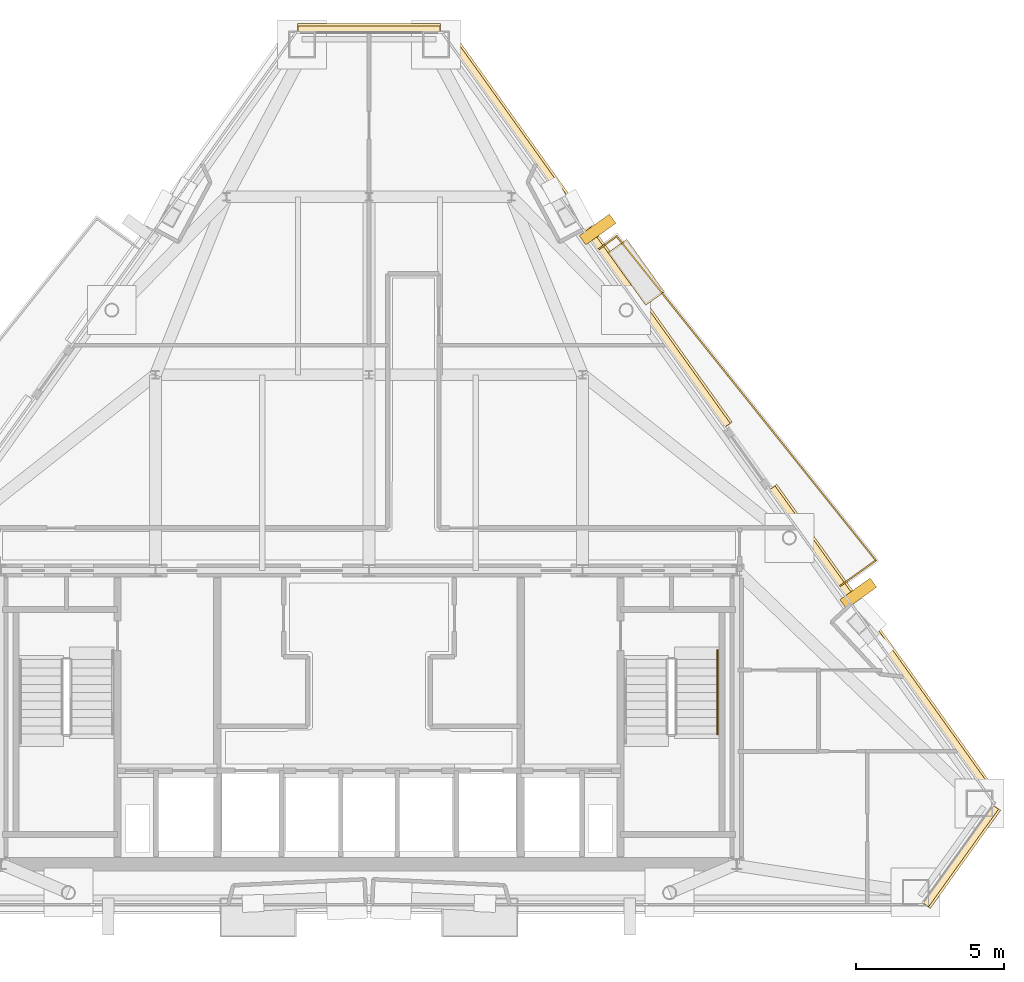
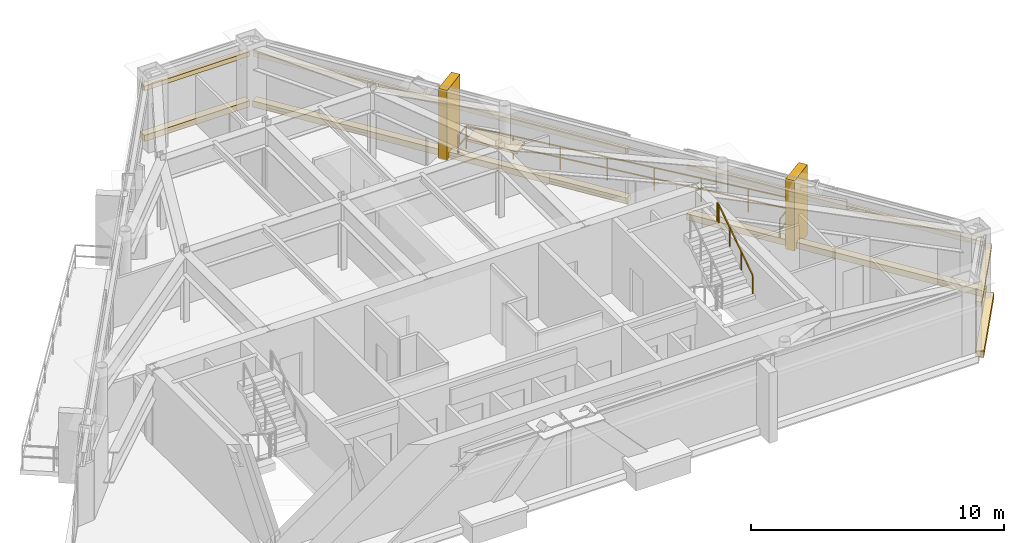
# One storey, part 12 of 12: 11 coverings, 2 railings.
"""IFC4 building model written with IfcOpenShell, lengths in metres."""

from ifc_helpers import new_model, si_unit, direction, frame, origin, origin_2d, place, context, subcontext, project, spatial, rectangle, extrude, material, layer, layer_set, type_object, element, save


model = new_model("IFC4")

# Units and contexts
model_context = context("Model", 3, precision=1e-05, world=origin(), true_north=direction((0.0, 1.0)))
body_context = subcontext(model_context, "Body", "Model", "MODEL_VIEW")
ifc_project = project(units=[si_unit("LENGTHUNIT", "METRE"), si_unit("AREAUNIT", "SQUARE_METRE"), si_unit("VOLUMEUNIT", "CUBIC_METRE"), si_unit("PLANEANGLEUNIT", "RADIAN"), si_unit("MASSUNIT", "GRAM", prefix="KILO")], contexts=[model_context])

# Site, building, storey
site_placement = place(None, origin())
site = spatial("IfcSite", under=ifc_project, at=site_placement, CompositionType="ELEMENT")
building_placement = place(site_placement, origin())
building = spatial("IfcBuilding", under=site, at=building_placement, Name="Talgorran Terracotta Tower", CompositionType="ELEMENT")
storey_placement = place(building_placement, frame((0.0, 0.0, 259.800048828125)))
storey = spatial("IfcBuildingStorey", under=building, at=storey_placement, Name="L68", CompositionType="ELEMENT", Elevation=259.800048828125)

# Coverings
ifc_material_1 = material(Name="Kiln-Fired Terracotta Ochre Ceramic", Category="masonry")
ifc_layer_1 = layer(ifc_material_1, 0.179931640625, Name="COV_BAGUETTE_TERRACOTTA_SCREEN")
ifc_layer_set_1 = layer_set([ifc_layer_1], Name="Kiln-Fired Terracotta Ochre Ceramic")
covering_type_1 = type_object("IfcCoveringType", Name="COV_BAGUETTE_TERRACOTTA_SCREEN", PredefinedType="CLADDING", material=ifc_layer_set_1)
covering_1_placement = place(storey_placement, frame((19.938720703125, -13.818115234375, 2.41015625), z_axis=(0.0, 0.0, 1.0), x_axis=(0.582222304811, 0.813029635242, 0.0)))
element("IfcCovering", 1, at=covering_1_placement, inside=storey, type_object=covering_type_1, Name="L68 Terracotta Baguette Solar Screen Assembly F2", PredefinedType="CLADDING", context=body_context, shape_type="SweptSolid", body=[
    extrude(rectangle(XDim=4.050048828125, YDim=0.260009765625, at=origin_2d()), origin(), (0.0, 0.0, 1.0), 0.219970703125),
])
covering_2_placement = place(storey_placement, frame((17.34033203125, -6.66650390625, 2.41015625), z_axis=(0.0, 0.0, 1.0), x_axis=(-0.582208114678, 0.813039796814, 0.0)))
element("IfcCovering", 2, at=covering_2_placement, inside=storey, type_object=covering_type_1, Name="L68 Terracotta Baguette Solar Screen Assembly F40", PredefinedType="CLADDING", context=body_context, shape_type="SweptSolid", body=[
    extrude(rectangle(XDim=12.89599609375, YDim=0.260009765625, at=origin_2d()), origin(), (0.0, 0.0, 1.0), 0.219970703125),
])
covering_3_placement = place(storey_placement, frame((7.3408203125, 7.297607421875, 2.41015625), z_axis=(0.0, 0.0, 1.0), x_axis=(-0.582208114678, 0.813039796814, 0.0)))
element("IfcCovering", 3, at=covering_3_placement, inside=storey, type_object=covering_type_1, Name="L68 Terracotta Baguette Solar Screen Assembly F41", PredefinedType="CLADDING", context=body_context, shape_type="SweptSolid", body=[
    extrude(rectangle(XDim=16.254638671875, YDim=0.260009765625, at=origin_2d()), origin(), (0.0, 0.0, 1.0), 0.219970703125),
])
covering_4_placement = place(storey_placement, frame((0.0, 14.03662109375, 2.41015625), z_axis=(0.0, 0.0, 1.0), x_axis=(-1.0, 0.0, 0.0)))
element("IfcCovering", 4, at=covering_4_placement, inside=storey, type_object=covering_type_1, Name="L68 Terracotta Baguette Solar Screen Assembly F4", PredefinedType="CLADDING", context=body_context, shape_type="SweptSolid", body=[
    extrude(rectangle(XDim=4.787109375, YDim=0.260009765625, at=origin_2d()), origin(), (0.0, 0.0, 1.0), 0.219970703125),
])
ifc_material_2 = material(Name="Kiln-Fired Terracotta Planter Rim", Category="masonry")
ifc_layer_2 = layer(ifc_material_2, 0.10009765625, Name="COV_PLANTER_RIM")
ifc_layer_set_2 = layer_set([ifc_layer_2], Name="Kiln-Fired Terracotta Planter Rim")
covering_type_2 = type_object("IfcCoveringType", Name="COV_PLANTER_RIM", PredefinedType="CLADDING", material=ifc_layer_set_2)
covering_5_placement = place(storey_placement, frame((9.010986328125, 5.856689453125, 0.7998046875), z_axis=(0.0, 0.0, 1.0), x_axis=(-0.582208114678, 0.813039796814, 0.0)))
element("IfcCovering", 5, at=covering_5_placement, inside=storey, type_object=covering_type_2, Name="L68 Balcony Planter Terracotta Rim BAL-NE", PredefinedType="CLADDING", context=body_context, shape_type="SweptSolid", body=[
    extrude(rectangle(XDim=2.179931640625, YDim=0.780029296875, at=origin_2d()), origin(), (0.0, 0.0, 1.0), 0.1201171875),
])
ifc_material_3 = material(Name="Honed Limestone Cladding", Category="masonry")
ifc_layer_3 = layer(ifc_material_3, 0.094970703125, Name="COV_PORTAL_LIME")
ifc_layer_set_3 = layer_set([ifc_layer_3], Name="Honed Limestone Cladding")
covering_type_3 = type_object("IfcCoveringType", Name="COV_PORTAL_LIME", PredefinedType="CLADDING", material=ifc_layer_set_3)
covering_6_placement = place(storey_placement, frame((19.97119140625, -13.841552734375, -0.0400390625), z_axis=(0.0, 0.0, 1.0), x_axis=(0.582222304811, 0.813029635242, 0.0)))
element("IfcCovering", 6, at=covering_6_placement, inside=storey, type_object=covering_type_3, Name="L68 Striped Postmodern Portal Cladding Band F2", PredefinedType="CLADDING", context=body_context, shape_type="SweptSolid", body=[
    extrude(rectangle(XDim=4.070068359375, YDim=0.340087890625, at=origin_2d()), origin(), (0.0, 0.0, 1.0), 0.300048828125),
])
covering_7_placement = place(storey_placement, frame((17.372802734375, -6.643310546875, -0.0400390625), z_axis=(0.0, 0.0, 1.0), x_axis=(-0.582208114678, 0.813039796814, 0.0)))
element("IfcCovering", 7, at=covering_7_placement, inside=storey, type_object=covering_type_3, Name="L68 Striped Postmodern Portal Cladding Band F40", PredefinedType="CLADDING", context=body_context, shape_type="SweptSolid", body=[
    extrude(rectangle(XDim=12.916015625, YDim=0.340087890625, at=origin_2d()), origin(), (0.0, 0.0, 1.0), 0.300048828125),
])
covering_8_placement = place(storey_placement, frame((7.373291015625, 7.321044921875, -0.0400390625), z_axis=(0.0, 0.0, 1.0), x_axis=(-0.582208114678, 0.813039796814, 0.0)))
element("IfcCovering", 8, at=covering_8_placement, inside=storey, type_object=covering_type_3, Name="L68 Striped Postmodern Portal Cladding Band F41", PredefinedType="CLADDING", context=body_context, shape_type="SweptSolid", body=[
    extrude(rectangle(XDim=16.274658203125, YDim=0.340087890625, at=origin_2d()), origin(), (0.0, 0.0, 1.0), 0.300048828125),
])
covering_9_placement = place(storey_placement, frame((0.0, 14.07666015625, -0.0400390625), z_axis=(0.0, 0.0, 1.0), x_axis=(-1.0, 0.0, 0.0)))
element("IfcCovering", 9, at=covering_9_placement, inside=storey, type_object=covering_type_3, Name="L68 Striped Postmodern Portal Cladding Band F4", PredefinedType="CLADDING", context=body_context, shape_type="SweptSolid", body=[
    extrude(rectangle(XDim=4.80712890625, YDim=0.340087890625, at=origin_2d()), origin(), (0.0, 0.0, 1.0), 0.300048828125),
])
covering_10_placement = place(storey_placement, frame((7.708251953125, 7.2998046875, -0.050048828125), z_axis=(0.0, 0.0, 1.0), x_axis=(-0.582208114678, 0.813039796814, 0.0)))
element("IfcCovering", 10, at=covering_10_placement, inside=storey, type_object=covering_type_3, Name="L68 White Striped Portal Fin F3-2", PredefinedType="CLADDING", context=body_context, shape_type="SweptSolid", body=[
    extrude(rectangle(XDim=0.3798828125, YDim=1.25, at=origin_2d()), origin(), (0.0, 0.0, 1.0), 3.39501953125),
])
ifc_material_4 = material(Name="Kiln-Fired Terracotta Cladding", Category="masonry")
ifc_layer_4 = layer(ifc_material_4, 0.090087890625, Name="COV_PORTAL_TERRA")
ifc_layer_set_4 = layer_set([ifc_layer_4], Name="Kiln-Fired Terracotta Cladding")
covering_type_4 = type_object("IfcCoveringType", Name="COV_PORTAL_TERRA", PredefinedType="CLADDING", material=ifc_layer_set_4)
covering_11_placement = place(storey_placement, frame((16.4970703125, -4.9736328125, -0.050048828125), z_axis=(0.0, 0.0, 1.0), x_axis=(-0.582208114678, 0.813039796814, 0.0)))
element("IfcCovering", 11, at=covering_11_placement, inside=storey, type_object=covering_type_4, Name="L68 Terracotta Striped Portal Fin F3-1", PredefinedType="CLADDING", context=body_context, shape_type="SweptSolid", body=[
    extrude(rectangle(XDim=0.3798828125, YDim=1.25, at=origin_2d()), origin(), (0.0, 0.0, 1.0), 3.39501953125),
])

# Railings
ifc_material_5 = material(Name="Laminated Glass and Stainless Steel 316", Category="steel")
railing_type_1 = type_object("IfcRailingType", Name="RL_BALCONY_1150", PredefinedType="BALUSTRADE", material=ifc_material_5)
railing_1_placement = place(storey_placement, frame((15.861083984375, -4.738037109375, 0.0)))
element("IfcRailing", 12, at=railing_1_placement, inside=storey, type_object=railing_type_1, Name="RL-L68-BAL-BAL-NE", PredefinedType="BALUSTRADE", context=body_context, shape_type="SweptSolid", body=[
    extrude(rectangle(XDim=0.048095703125, YDim=0.048095703125, at=origin_2d()), frame((0.0, 0.0, 1.1259765625), z_axis=(0.813044294533, 0.582201833669, 0.0), x_axis=(-0.582201833669, 0.813044294533, 0.0)), (0.0, 0.0, 1.0), 1.50927734375),
    extrude(rectangle(XDim=0.048095703125, YDim=0.048095703125, at=origin_2d()), frame((0.0, 0.0, 0.597900390625), z_axis=(0.813044294533, 0.582201833669, 0.0), x_axis=(-0.582201833669, 0.813044294533, 0.0)), (0.0, 0.0, 1.0), 1.50927734375),
    extrude(rectangle(XDim=0.048095703125, YDim=0.048095703125, at=origin_2d()), frame((1.22705078125, 0.878662109375, 1.1259765625), z_axis=(-0.624435403675, 0.781076453772, 0.0), x_axis=(-0.781076453772, -0.624435403675, 0.0)), (0.0, 0.0, 1.0), 13.991455078125),
    extrude(rectangle(XDim=0.048095703125, YDim=0.048095703125, at=origin_2d()), frame((1.22705078125, 0.878662109375, 0.597900390625), z_axis=(-0.624435403675, 0.781076453772, 0.0), x_axis=(-0.781076453772, -0.624435403675, 0.0)), (0.0, 0.0, 1.0), 13.991455078125),
    extrude(rectangle(XDim=0.048095703125, YDim=0.048095703125, at=origin_2d()), frame((-7.509765625, 11.80712890625, 1.1259765625), z_axis=(-0.813067685414, -0.582169166939, 0.0), x_axis=(0.582169166939, -0.813067685414, 0.0)), (0.0, 0.0, 1.0), 0.768798828125),
    extrude(rectangle(XDim=0.048095703125, YDim=0.048095703125, at=origin_2d()), frame((-7.509765625, 11.80712890625, 0.597900390625), z_axis=(-0.813067685414, -0.582169166939, 0.0), x_axis=(0.582169166939, -0.813067685414, 0.0)), (0.0, 0.0, 1.0), 0.768798828125),
    extrude(rectangle(XDim=0.0419921875, YDim=0.0419921875, at=origin_2d()), origin(), (0.0, 0.0, 1.0), 1.101806640625),
    extrude(rectangle(XDim=0.0419921875, YDim=0.0419921875, at=origin_2d()), frame((1.22705078125, 0.878662109375, 0.0)), (0.0, 0.0, 1.0), 1.101806640625),
    extrude(rectangle(XDim=0.0419921875, YDim=0.0419921875, at=origin_2d()), frame((-0.02099609375, 2.43994140625, 0.0)), (0.0, 0.0, 1.0), 1.101806640625),
    extrude(rectangle(XDim=0.0419921875, YDim=0.0419921875, at=origin_2d()), frame((-1.269287109375, 4.0009765625, 0.0)), (0.0, 0.0, 1.0), 1.101806640625),
    extrude(rectangle(XDim=0.0419921875, YDim=0.0419921875, at=origin_2d()), frame((-2.517333984375, 5.562255859375, 0.0)), (0.0, 0.0, 1.0), 1.101806640625),
    extrude(rectangle(XDim=0.0419921875, YDim=0.0419921875, at=origin_2d()), frame((-3.765380859375, 7.12353515625, 0.0)), (0.0, 0.0, 1.0), 1.101806640625),
    extrude(rectangle(XDim=0.0419921875, YDim=0.0419921875, at=origin_2d()), frame((-5.013427734375, 8.684814453125, 0.0)), (0.0, 0.0, 1.0), 1.101806640625),
    extrude(rectangle(XDim=0.0419921875, YDim=0.0419921875, at=origin_2d()), frame((-6.26171875, 10.245849609375, 0.0)), (0.0, 0.0, 1.0), 1.101806640625),
    extrude(rectangle(XDim=0.0419921875, YDim=0.0419921875, at=origin_2d()), frame((-7.509765625, 11.80712890625, 0.0)), (0.0, 0.0, 1.0), 1.101806640625),
    extrude(rectangle(XDim=0.0419921875, YDim=0.0419921875, at=origin_2d()), frame((-8.134765625, 11.359619140625, 0.0)), (0.0, 0.0, 1.0), 1.101806640625),
])
ifc_material_6 = material(Name="Steel S355 (300PLUS)", Category="steel")
railing_type_2 = type_object("IfcRailingType", Name="RL_HANDRAIL_920", PredefinedType="HANDRAIL", material=ifc_material_6)
railing_2_placement = place(storey_placement, frame((11.75, -9.719970703125, 1.97998046875)))
element("IfcRailing", 13, at=railing_2_placement, inside=storey, type_object=railing_type_2, Name="L68 ST-02 stair handrail 2", PredefinedType="HANDRAIL", context=body_context, shape_type="SweptSolid", body=[
    extrude(rectangle(XDim=0.048095703125, YDim=0.048095703125, at=origin_2d()), frame((0.0, 0.0, 0.89599609375), z_axis=(0.0, 0.832038719335, 0.554717558338), x_axis=(-1.0, 0.0, 0.0)), (0.0, 0.0, 1.0), 3.244873046875),
    extrude(rectangle(XDim=0.048095703125, YDim=0.048095703125, at=origin_2d()), frame((0.0, 2.699951171875, 2.69580078125), z_axis=(0.0, 1.0, 0.0), x_axis=(-1.0, 0.0, 0.0)), (0.0, 0.0, 1.0), 0.1201171875),
    extrude(rectangle(XDim=0.0419921875, YDim=0.0419921875, at=origin_2d()), origin(), (0.0, 0.0, 1.0), 0.871826171875),
    extrude(rectangle(XDim=0.0419921875, YDim=0.0419921875, at=origin_2d()), frame((0.0, 0.89990234375, 0.60009765625)), (0.0, 0.0, 1.0), 0.871826171875),
    extrude(rectangle(XDim=0.0419921875, YDim=0.0419921875, at=origin_2d()), frame((0.0, 1.800048828125, 1.199951171875)), (0.0, 0.0, 1.0), 0.871826171875),
    extrude(rectangle(XDim=0.0419921875, YDim=0.0419921875, at=origin_2d()), frame((0.0, 2.699951171875, 1.800048828125)), (0.0, 0.0, 1.0), 0.871826171875),
    extrude(rectangle(XDim=0.0419921875, YDim=0.0419921875, at=origin_2d()), frame((0.0, 2.820068359375, 1.800048828125)), (0.0, 0.0, 1.0), 0.871826171875),
])

save(model, "model.ifc")
